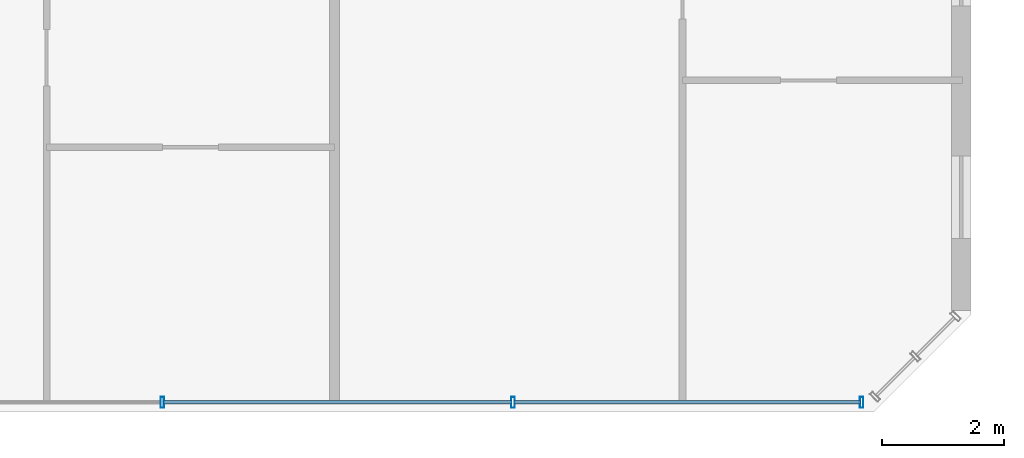
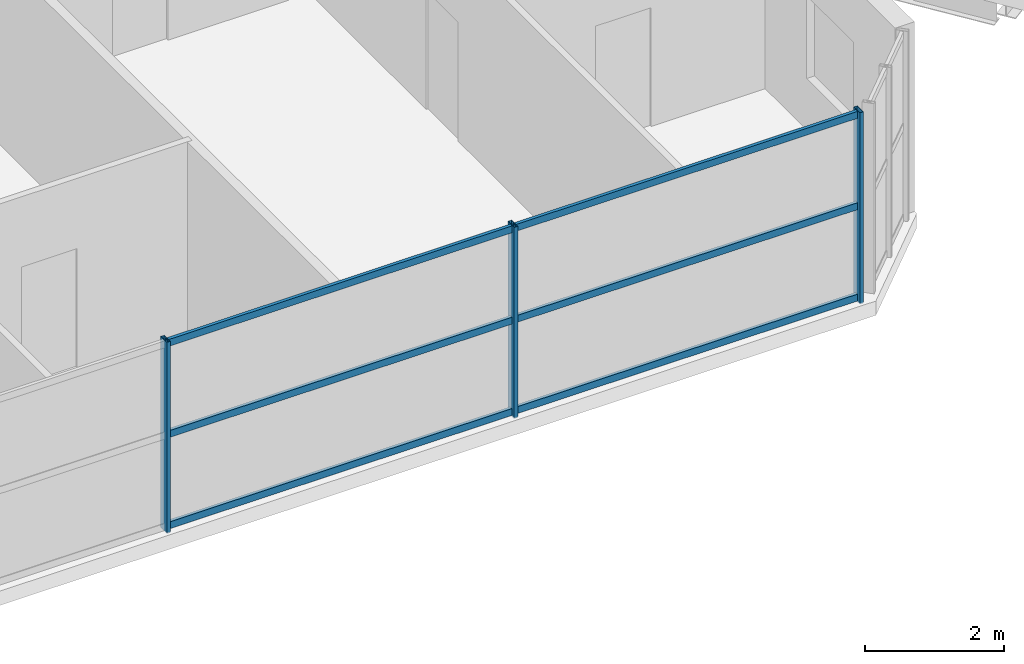
# One storey, part 8 of 25: 9 members, 1 element without a shape of its own.
"""IFC4 building model written with IfcOpenShell, lengths in metres."""

from ifc_helpers import new_model, si_unit, direction, frame, origin, origin_2d, place, context, subcontext, project, spatial, hollow_rectangle, extrude, source, transform, mapped, material, material_profile, profile_set, type_object, element, aggregate, save


model = new_model("IFC4")

# Units and contexts
model_context = context("Model", 3, precision=1e-05, world=origin(), true_north=direction((0.0, 1.0)))
body_context = subcontext(model_context, "Body", "Model", "MODEL_VIEW")
ifc_project = project(units=[si_unit("LENGTHUNIT", "METRE"), si_unit("AREAUNIT", "SQUARE_METRE"), si_unit("VOLUMEUNIT", "CUBIC_METRE"), si_unit("PLANEANGLEUNIT", "RADIAN"), si_unit("MASSUNIT", "GRAM", prefix="KILO")], contexts=[model_context])

# Site, building, storey
site_placement = place(None, origin())
site = spatial("IfcSite", under=ifc_project, at=site_placement, CompositionType="ELEMENT")
building_placement = place(site_placement, origin())
building = spatial("IfcBuilding", under=site, at=building_placement, Name="Tlacorven Tower", CompositionType="ELEMENT")
storey_placement = place(building_placement, frame((0.0, 0.0, 251.10009765625)))
storey = spatial("IfcBuildingStorey", under=building, at=storey_placement, Name="L63", CompositionType="ELEMENT", Elevation=251.10009765625)

# Curtain wall, members
ifc_material_1 = material(Name="Dark solar low-E double glazing in aluminium frame", Category="aluminium")
curtain_wall_type = type_object("IfcCurtainWallType", Name="CW-TWR-HIGH", PredefinedType="USERDEFINED", material=ifc_material_1)
curtain_wall_placement = place(storey_placement, origin())
curtain_wall = element("IfcCurtainWall", 1, at=curtain_wall_placement, inside=storey, type_object=curtain_wall_type, Name="L63 CW-TWR-HIGH Curtain Wall 291", ObjectType="UNITISED CURTAIN WALL", PredefinedType="USERDEFINED")
ifc_material_2 = material(Name="Aluminium 6063-T6 anodised", Category="aluminium")
ifc_material_profile_1 = material_profile(ifc_material_2, hollow_rectangle(XDim=0.054931640625, YDim=0.1201171875, WallThickness=0.00341796875, at=origin_2d()), Name="ALU TRANSOM 55X120")
ifc_profile_set_1 = profile_set([ifc_material_profile_1], Name="Aluminium 6063-T6 anodised")
member_type_1 = type_object("IfcMemberType", Name="CWT-03", PredefinedType="USERDEFINED", material=ifc_profile_set_1)
shared_shape_1 = source(origin(), body_context, "Body", "SweptSolid", [
    extrude(hollow_rectangle(XDim=0.054931640625, YDim=0.1201171875, WallThickness=0.00341796875, at=origin_2d()), origin(), (0.0, 0.0, 1.0), 5.689697265625),
])
member_1_placement = place(storey_placement, frame((50.585693359375, 1.9599609375, 0.059814453125), z_axis=(-1.0, 0.0, 0.0), x_axis=(0.0, -1.0, 0.0)))
member_1 = element("IfcMember", 2, at=member_1_placement, type_object=member_type_1, Name="CW-L63-291 Transom 1", ObjectType="TRANSOM", PredefinedType="USERDEFINED", context=body_context, shape_type="MappedRepresentation", body=[
    mapped(shared_shape_1, transform((0.0, 0.0, 0.0), scale=1.0)),
])
member_2_placement = place(storey_placement, frame((50.585693359375, 1.9599609375, 1.659912109375), z_axis=(-1.0, 0.0, 0.0), x_axis=(0.0, -1.0, 0.0)))
member_2 = element("IfcMember", 3, at=member_2_placement, type_object=member_type_1, Name="CW-L63-291 Transom 2", ObjectType="TRANSOM", PredefinedType="USERDEFINED", context=body_context, shape_type="MappedRepresentation", body=[
    mapped(shared_shape_1, transform((0.0, 0.0, 0.0), scale=1.0)),
])
member_3_placement = place(storey_placement, frame((50.585693359375, 1.9599609375, 3.260009765625), z_axis=(-1.0, 0.0, 0.0), x_axis=(0.0, -1.0, 0.0)))
member_3 = element("IfcMember", 4, at=member_3_placement, type_object=member_type_1, Name="CW-L63-291 Transom 3", ObjectType="TRANSOM", PredefinedType="USERDEFINED", context=body_context, shape_type="MappedRepresentation", body=[
    mapped(shared_shape_1, transform((0.0, 0.0, 0.0), scale=1.0)),
])
shared_shape_2 = source(origin(), body_context, "Body", "SweptSolid", [
    extrude(hollow_rectangle(XDim=0.054931640625, YDim=0.1201171875, WallThickness=0.00341796875, at=origin_2d()), origin(), (0.0, 0.0, 1.0), 5.7197265625),
])
member_4_placement = place(storey_placement, frame((44.85986328125, 1.9599609375, 0.059814453125), z_axis=(-1.0, 0.0, 0.0), x_axis=(0.0, -1.0, 0.0)))
member_4 = element("IfcMember", 5, at=member_4_placement, type_object=member_type_1, Name="CW-L63-291 Transom 4", ObjectType="TRANSOM", PredefinedType="USERDEFINED", context=body_context, shape_type="MappedRepresentation", body=[
    mapped(shared_shape_2, transform((0.0, 0.0, 0.0), scale=1.0)),
])
member_5_placement = place(storey_placement, frame((44.85986328125, 1.9599609375, 1.659912109375), z_axis=(-1.0, 0.0, 0.0), x_axis=(0.0, -1.0, 0.0)))
member_5 = element("IfcMember", 6, at=member_5_placement, type_object=member_type_1, Name="CW-L63-291 Transom 5", ObjectType="TRANSOM", PredefinedType="USERDEFINED", context=body_context, shape_type="MappedRepresentation", body=[
    mapped(shared_shape_2, transform((0.0, 0.0, 0.0), scale=1.0)),
])
member_6_placement = place(storey_placement, frame((44.85986328125, 1.9599609375, 3.260009765625), z_axis=(-1.0, 0.0, 0.0), x_axis=(0.0, -1.0, 0.0)))
member_6 = element("IfcMember", 7, at=member_6_placement, type_object=member_type_1, Name="CW-L63-291 Transom 6", ObjectType="TRANSOM", PredefinedType="USERDEFINED", context=body_context, shape_type="MappedRepresentation", body=[
    mapped(shared_shape_2, transform((0.0, 0.0, 0.0), scale=1.0)),
])
ifc_material_profile_2 = material_profile(ifc_material_2, hollow_rectangle(XDim=0.06005859375, YDim=0.179931640625, WallThickness=0.00390625, at=origin_2d()), Name="ALU MULLION 60X180")
ifc_profile_set_2 = profile_set([ifc_material_profile_2], Name="Aluminium 6063-T6 anodised")
member_type_2 = type_object("IfcMemberType", Name="CWM-03", PredefinedType="MULLION", material=ifc_profile_set_2)
shared_shape_3 = source(origin(), body_context, "Body", "SweptSolid", [
    extrude(hollow_rectangle(XDim=0.06005859375, YDim=0.179931640625, WallThickness=0.00390625, at=origin_2d()), origin(), (0.0, 0.0, 1.0), 3.349853515625),
])
member_7_placement = place(storey_placement, frame((50.603759765625, 1.9599609375, -0.02001953125), z_axis=(0.0, 0.0, 1.0), x_axis=(-1.0, 0.0, 0.0)))
member_7 = element("IfcMember", 8, at=member_7_placement, type_object=member_type_2, Name="CW-L63-291 Mullion 1", PredefinedType="MULLION", context=body_context, shape_type="MappedRepresentation", body=[
    mapped(shared_shape_3, transform((0.0, 0.0, 0.0), scale=1.0)),
])
member_8_placement = place(storey_placement, frame((44.8779296875, 1.9599609375, -0.02001953125), z_axis=(0.0, 0.0, 1.0), x_axis=(-1.0, 0.0, 0.0)))
member_8 = element("IfcMember", 9, at=member_8_placement, type_object=member_type_2, Name="CW-L63-291 Mullion 2", PredefinedType="MULLION", context=body_context, shape_type="MappedRepresentation", body=[
    mapped(shared_shape_3, transform((0.0, 0.0, 0.0), scale=1.0)),
])
member_9_placement = place(storey_placement, frame((39.1220703125, 1.9599609375, -0.02001953125), z_axis=(0.0, 0.0, 1.0), x_axis=(-1.0, 0.0, 0.0)))
member_9 = element("IfcMember", 10, at=member_9_placement, type_object=member_type_2, Name="CW-L63-291 Mullion 3", PredefinedType="MULLION", context=body_context, shape_type="MappedRepresentation", body=[
    mapped(shared_shape_3, transform((0.0, 0.0, 0.0), scale=1.0)),
])
aggregate(curtain_wall, [member_7, member_8, member_9, member_1, member_2, member_3, member_4, member_5, member_6])

save(model, "model.ifc")
